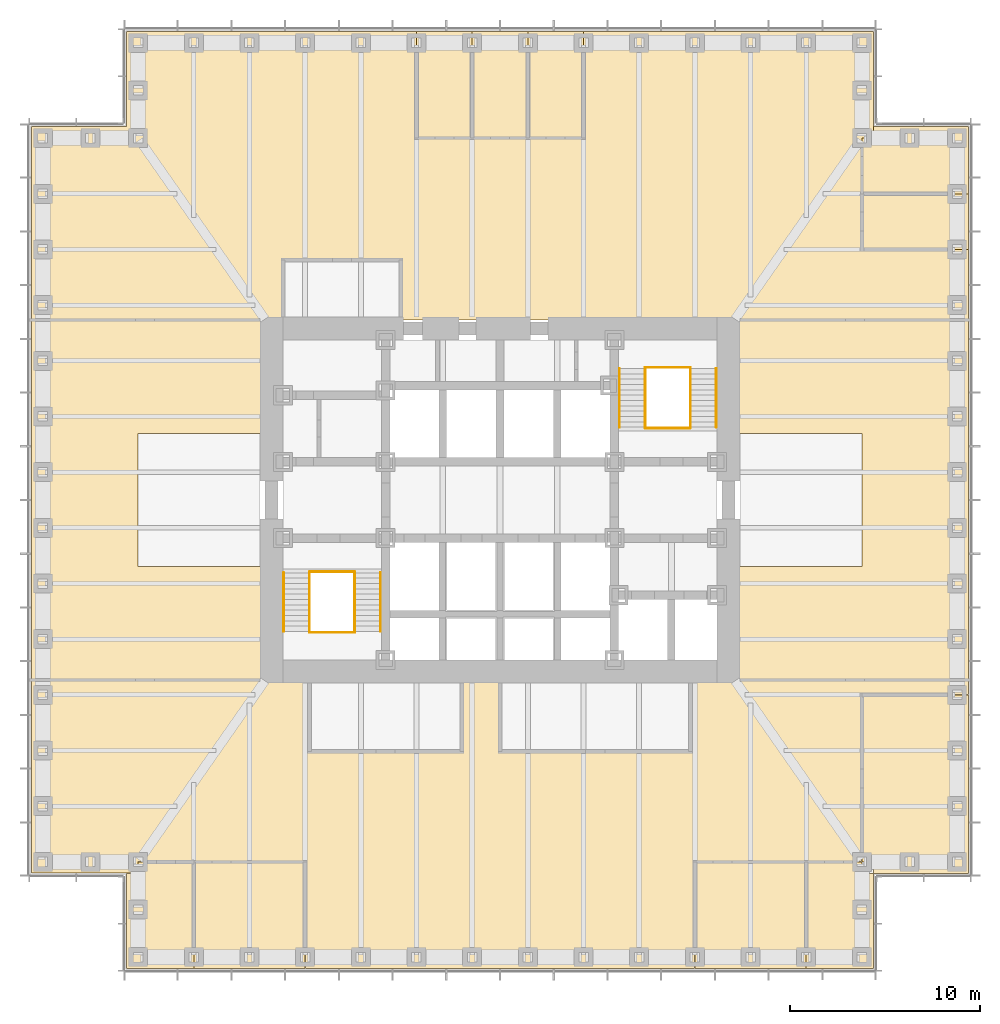
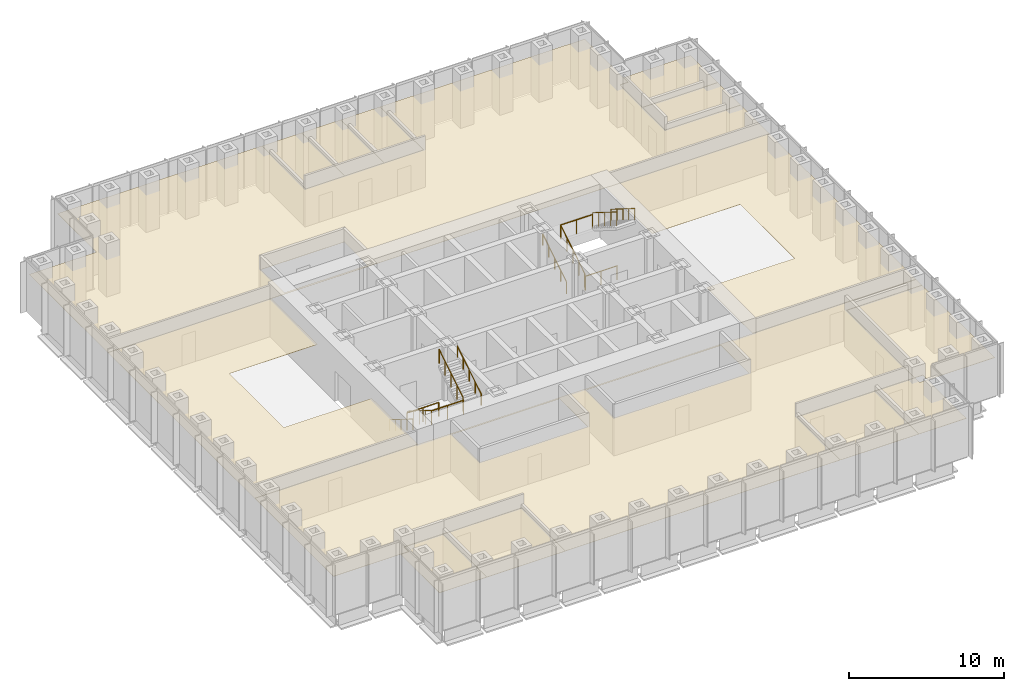
# One storey, part 16 of 16: 14 coverings, 12 railings.
"""IFC4 building model written with IfcOpenShell, lengths in metres."""

import ifcopenshell
import ifcopenshell.guid

model = None  # the IFC model being written
_history = None  # IfcOwnerHistory: only IFC2X3 demands one
_inside = {}  # id of a spatial element -> (the spatial element, [elements in it])
_under = {}  # id of a project, library or spatial element -> (it, [spatial elements below it])
_declared = {}  # id of a project -> (the project, [libraries it declares])
_typed = {}  # id of a type object -> (the type object, [elements of that type])
_made_of = {}  # id of a material, layer set ... -> (it, [elements and type objects made of it])


def new_model(schema):
    """Start an empty IFC model of exactly this schema.

    Asked for "IFC4X3", IfcOpenShell would pick the latest addendum, in which some entities
    have other attributes; the version numbers below select the first issue.
    IFC2X3 requires an IfcOwnerHistory on every rooted entity: one is made here for all.
    """
    global model, _history
    if schema == "IFC4X3":
        model = ifcopenshell.file(schema_version=(4, 3, 0, 0))
    else:
        model = ifcopenshell.file(schema=schema)
    _inside.clear()
    _under.clear()
    _declared.clear()
    _typed.clear()
    _made_of.clear()
    _history = None
    if model.schema == "IFC2X3":
        org = make("IfcOrganization", Name="unknown")
        user = make(
            "IfcPersonAndOrganization",
            ThePerson=make("IfcPerson", FamilyName="unknown"),
            TheOrganization=org,
        )
        app = make(
            "IfcApplication",
            ApplicationDeveloper=org,
            Version="unknown",
            ApplicationFullName="unknown",
            ApplicationIdentifier="unknown",
        )
        _history = make(
            "IfcOwnerHistory",
            OwningUser=user,
            OwningApplication=app,
            ChangeAction="ADDED",
            CreationDate=0,
        )
    return model


def make(cls, **values):
    """One entity of the class cls with the attributes given. An attribute that is None is left unset."""
    return model.create_entity(
        cls, **{name: value for name, value in values.items() if value is not None}
    )


def rooted(cls, **values):
    """An entity with a GlobalId (a new one), such as an element, a storey or a relation."""
    return make(cls, GlobalId=ifcopenshell.guid.new(), OwnerHistory=_history, **values)


def si_unit(unit_type, name, prefix=None):
    """IfcSIUnit, for example si_unit("LENGTHUNIT", "METRE", prefix="MILLI")."""
    return make("IfcSIUnit", UnitType=unit_type, Prefix=prefix, Name=name)


def assignment(units):
    """IfcUnitAssignment: the units of a project."""
    return None if units is None else make("IfcUnitAssignment", Units=units)


def point(xyz):
    """IfcCartesianPoint."""
    return None if xyz is None else make("IfcCartesianPoint", Coordinates=xyz)


def direction(xyz):
    """IfcDirection."""
    return None if xyz is None else make("IfcDirection", DirectionRatios=xyz)


def frame(location, z_axis=None, x_axis=None):
    """IfcAxis2Placement3D, a coordinate frame: its origin and axes. An axis left out is left unset."""
    return make(
        "IfcAxis2Placement3D",
        Location=point(location),
        Axis=direction(z_axis),
        RefDirection=direction(x_axis),
    )


def frame_2d(location, x_axis=None):
    """IfcAxis2Placement2D, a coordinate frame in the plane: its origin and x axis."""
    return make(
        "IfcAxis2Placement2D", Location=point(location), RefDirection=direction(x_axis)
    )


def origin():
    """The frame at (0, 0, 0) with its axes left unset."""
    return frame((0.0, 0.0, 0.0))


def origin_2d():
    """The frame at (0, 0) in the plane with its x axis left unset."""
    return frame_2d((0.0, 0.0))


def place(relative_to, where):
    """IfcLocalPlacement: puts the frame where relative to a parent placement (None: the world)."""
    return make(
        "IfcLocalPlacement", PlacementRelTo=relative_to, RelativePlacement=where
    )


def context(
    kind, dimensions, precision=None, world=None, true_north=None, identifier=None
):
    """IfcGeometricRepresentationContext, for example the 3D "Model" context."""
    return make(
        "IfcGeometricRepresentationContext",
        ContextIdentifier=identifier,
        ContextType=kind,
        CoordinateSpaceDimension=dimensions,
        Precision=precision,
        WorldCoordinateSystem=world,
        TrueNorth=true_north,
    )


def subcontext(parent, identifier, kind, view, scale=None):
    """IfcGeometricRepresentationSubContext, for example "Body" below "Model"."""
    return make(
        "IfcGeometricRepresentationSubContext",
        ContextIdentifier=identifier,
        ContextType=kind,
        ParentContext=parent,
        TargetScale=scale,
        TargetView=view,
    )


def project(units=None, contexts=None):
    """IfcProject with its units and contexts."""
    return rooted(
        "IfcProject",
        Name="project",
        RepresentationContexts=contexts,
        UnitsInContext=assignment(units),
    )


def spatial(cls, under=None, at=None, **own):
    """A site, building, storey or space (cls), placed at a placement, below another one or the project."""
    s = rooted(cls, ObjectPlacement=at, **own)
    if under is not None:
        _under.setdefault(under.id(), (under, []))[1].append(s)
    return s


def polyline(points):
    """IfcPolyline through the points."""
    return make("IfcPolyline", Points=[point(p) for p in points])


def profile(cls, at=None, kind="AREA", **sizes):
    """A parametric profile (cls). Its sizes go by their IFC names, for example OverallWidth=200.0."""
    return make(cls, ProfileType=kind, Position=at, **sizes)


def circle(**sizes):
    """IfcCircleProfileDef."""
    return profile("IfcCircleProfileDef", **sizes)


def outline(outer, holes=None, kind="AREA"):
    """IfcArbitraryClosedProfileDef: a profile drawn as a closed curve; with holes, ...WithVoids."""
    if holes is None:
        return make("IfcArbitraryClosedProfileDef", ProfileType=kind, OuterCurve=outer)
    return make(
        "IfcArbitraryProfileDefWithVoids",
        ProfileType=kind,
        OuterCurve=outer,
        InnerCurves=holes,
    )


def extrude(swept, where, along, depth):
    """IfcExtrudedAreaSolid: the profile swept, set in the frame where, extruded along a direction by depth."""
    return make(
        "IfcExtrudedAreaSolid",
        SweptArea=swept,
        Position=where,
        ExtrudedDirection=direction(along),
        Depth=depth,
    )


def shape(context_of_items, identifier, shape_type, items):
    """IfcShapeRepresentation: the items that make up one representation, for example the "Body"."""
    return make(
        "IfcShapeRepresentation",
        ContextOfItems=context_of_items,
        RepresentationIdentifier=identifier,
        RepresentationType=shape_type,
        Items=items,
    )


def material(Name=None, Category=None):
    """IfcMaterial."""
    return make("IfcMaterial", Name=Name, Category=Category)


def layer(
    of_material, thickness, ventilated=None, Name=None, Category=None, Priority=None
):
    """IfcMaterialLayer: one layer of a wall or slab, of a material (None: an air gap)."""
    return make(
        "IfcMaterialLayer",
        Material=of_material,
        LayerThickness=thickness,
        IsVentilated=ventilated,
        Name=Name,
        Category=Category,
        Priority=Priority,
    )


def layer_set(layers, Name=None):
    """IfcMaterialLayerSet."""
    return make("IfcMaterialLayerSet", MaterialLayers=layers, LayerSetName=Name)


def made_of(thing, what):
    """Note that an element or type object is made of a material, layer set ...; save() writes the relation."""
    if what is not None:
        _made_of.setdefault(what.id(), (what, []))[1].append(thing)
    return thing


def type_object(cls, material=None, **own):
    """A type object (cls), such as IfcWallType, which elements share."""
    return made_of(rooted(cls, **own), material)


def element(
    cls,
    number,
    at=None,
    inside=None,
    cuts=None,
    type_object=None,
    material=None,
    context=None,
    identifier="Body",
    shape_type=None,
    held_by="IfcProductDefinitionShape",
    body=None,
    shapes=None,
    **own,
):
    """One element of the class cls, such as IfcWall. Its Tag is "e" and its number.

    at: its placement. inside: the storey or other place that contains it. cuts: it is an
    opening in that element (IfcRelVoidsElement). A single representation is given by context,
    identifier, shape_type and body (its items); several are given by shapes. held_by: the class
    of the entity that holds the representations. save() writes the other relations.
    """
    e = rooted(cls, Tag="e%d" % number, ObjectPlacement=at, **own)
    if body is not None:
        shapes = [shape(context, identifier, shape_type, body)]
    if shapes is not None:
        e.Representation = make(held_by, Representations=shapes)
    if inside is not None:
        _inside.setdefault(inside.id(), (inside, []))[1].append(e)
    if cuts is not None:
        rooted(
            "IfcRelVoidsElement", RelatingBuildingElement=cuts, RelatedOpeningElement=e
        )
    if type_object is not None:
        _typed.setdefault(type_object.id(), (type_object, []))[1].append(e)
    return made_of(e, material)


def aggregate(whole, parts):
    """IfcRelAggregates: a whole, such as a stair, and the parts it consists of."""
    return rooted("IfcRelAggregates", RelatingObject=whole, RelatedObjects=parts)


def save(model, path):
    """Write the relations noted so far, then the file.

    IfcRelAggregates (storeys below a building ...), IfcRelContainedInSpatialStructure (elements
    in a storey), IfcRelDefinesByType, IfcRelAssociatesMaterial and IfcRelDeclares: one each for
    every whole, place, type object, material and project.
    """
    for whole, parts in _under.values():
        aggregate(whole, parts)
    for where, things in _inside.values():
        rooted(
            "IfcRelContainedInSpatialStructure",
            RelatedElements=things,
            RelatingStructure=where,
        )
    for kind, things in _typed.values():
        rooted("IfcRelDefinesByType", RelatedObjects=things, RelatingType=kind)
    for what, things in _made_of.values():
        rooted("IfcRelAssociatesMaterial", RelatedObjects=things, RelatingMaterial=what)
    for by, libraries in _declared.values():
        rooted("IfcRelDeclares", RelatingContext=by, RelatedDefinitions=libraries)
    model.write(path)


model = new_model("IFC4")

# Units and contexts
model_context = context("Model", 3, precision=1e-05, world=origin(), true_north=direction((0.0, 1.0)))
body_context = subcontext(model_context, "Body", "Model", "MODEL_VIEW")
ifc_project = project(units=[si_unit("LENGTHUNIT", "METRE"), si_unit("AREAUNIT", "SQUARE_METRE"), si_unit("VOLUMEUNIT", "CUBIC_METRE"), si_unit("PLANEANGLEUNIT", "RADIAN"), si_unit("MASSUNIT", "GRAM", prefix="KILO")], contexts=[model_context])

# Site, building, storey
site_placement = place(None, origin())
site = spatial("IfcSite", under=ifc_project, at=site_placement, CompositionType="ELEMENT")
building_placement = place(site_placement, origin())
building = spatial("IfcBuilding", under=site, at=building_placement, Name="Daluyong Arena Tower", CompositionType="ELEMENT")
storey_placement = place(building_placement, frame((0.0, 0.0, 47.5)))
storey = spatial("IfcBuildingStorey", under=building, at=storey_placement, Name="L09", CompositionType="ELEMENT", Elevation=47.5)

# Coverings
ifc_material_1 = material(Name="Mineral fibre ceiling tile", Category="gypsum board")
ifc_layer = layer(ifc_material_1, 0.02001953125)
ifc_layer_set = layer_set([ifc_layer], Name="Mineral fibre ceiling tile")
covering_type = type_object("IfcCoveringType", Name="Office ceiling", PredefinedType="CEILING", material=ifc_layer_set)
covering_1_placement = place(storey_placement, frame((0.0, 0.0, 2.89990234375)))
element("IfcCovering", 1, at=covering_1_placement, inside=storey, type_object=covering_type, Name="ceiling L09-01", PredefinedType="CEILING", context=body_context, shape_type="SweptSolid", body=[
    extrude(outline(polyline([(36.39990234375, 60.39990234375), (36.39990234375, 55.39990234375), (39.923095703125, 55.39990234375), (39.923095703125, 61.0), (37.0, 61.0), (37.0, 60.39990234375), (36.39990234375, 60.39990234375)])), origin(), (0.0, 0.0, 1.0), 0.02001953125),
])
covering_2_placement = place(storey_placement, frame((0.0, 0.0, 2.89990234375)))
element("IfcCovering", 2, at=covering_2_placement, inside=storey, type_object=covering_type, Name="ceiling L09-02", PredefinedType="CEILING", context=body_context, shape_type="SweptSolid", body=[
    extrude(outline(polyline([(39.923095703125, 61.0), (39.923095703125, 55.39990234375), (45.769287109375, 55.39990234375), (45.769287109375, 61.0), (39.923095703125, 61.0)])), origin(), (0.0, 0.0, 1.0), 0.02001953125),
])
covering_3_placement = place(storey_placement, frame((0.0, 0.0, 2.89990234375)))
element("IfcCovering", 3, at=covering_3_placement, inside=storey, type_object=covering_type, Name="ceiling L09-03", PredefinedType="CEILING", context=body_context, shape_type="SweptSolid", body=[
    extrude(outline(polyline([(66.230712890625, 61.0), (66.230712890625, 55.39990234375), (72.076904296875, 55.39990234375), (72.076904296875, 61.0), (66.230712890625, 61.0)])), origin(), (0.0, 0.0, 1.0), 0.02001953125),
])
covering_4_placement = place(storey_placement, frame((0.0, 0.0, 2.89990234375)))
element("IfcCovering", 4, at=covering_4_placement, inside=storey, type_object=covering_type, Name="ceiling L09-04", PredefinedType="CEILING", context=body_context, shape_type="SweptSolid", body=[
    extrude(outline(polyline([(75.60009765625, 55.39990234375), (75.60009765625, 60.39990234375), (75.0, 60.39990234375), (75.0, 61.0), (72.076904296875, 61.0), (72.076904296875, 55.39990234375), (75.60009765625, 55.39990234375)])), origin(), (0.0, 0.0, 1.0), 0.02001953125),
])
covering_5_placement = place(storey_placement, frame((0.0, 0.0, 2.89990234375)))
element("IfcCovering", 5, at=covering_5_placement, inside=storey, type_object=covering_type, Name="ceiling L09-05", PredefinedType="CEILING", context=body_context, shape_type="SweptSolid", body=[
    extrude(outline(polyline([(75.60009765625, 60.39990234375), (80.60009765625, 60.39990234375), (80.60009765625, 69.769287109375), (75.0, 69.769287109375), (75.0, 61.0), (75.60009765625, 61.0), (75.60009765625, 60.39990234375)])), origin(), (0.0, 0.0, 1.0), 0.02001953125),
])
covering_6_placement = place(storey_placement, frame((0.0, 0.0, 2.89990234375)))
element("IfcCovering", 6, at=covering_6_placement, inside=storey, type_object=covering_type, Name="ceiling L09-06", PredefinedType="CEILING", context=body_context, shape_type="SweptSolid", body=[
    extrude(outline(polyline([(75.0, 93.15380859375), (80.60009765625, 93.15380859375), (80.60009765625, 96.076904296875), (75.0, 96.076904296875), (75.0, 93.15380859375)])), origin(), (0.0, 0.0, 1.0), 0.02001953125),
])
covering_7_placement = place(storey_placement, frame((0.0, 0.0, 2.89990234375)))
element("IfcCovering", 7, at=covering_7_placement, inside=storey, type_object=covering_type, Name="ceiling L09-07", PredefinedType="CEILING", context=body_context, shape_type="SweptSolid", body=[
    extrude(outline(polyline([(75.0, 96.076904296875), (80.60009765625, 96.076904296875), (80.60009765625, 99.60009765625), (75.60009765625, 99.60009765625), (75.60009765625, 99.0), (75.0, 99.0), (75.0, 96.076904296875)])), origin(), (0.0, 0.0, 1.0), 0.02001953125),
])
covering_8_placement = place(storey_placement, frame((0.0, 0.0, 2.89990234375)))
element("IfcCovering", 8, at=covering_8_placement, inside=storey, type_object=covering_type, Name="ceiling L09-08", PredefinedType="CEILING", context=body_context, shape_type="SweptSolid", body=[
    extrude(outline(polyline([(54.53857421875, 99.0), (54.53857421875, 104.60009765625), (51.615478515625, 104.60009765625), (51.615478515625, 99.0), (54.53857421875, 99.0)])), origin(), (0.0, 0.0, 1.0), 0.02001953125),
])
covering_9_placement = place(storey_placement, frame((0.0, 0.0, 2.89990234375)))
element("IfcCovering", 9, at=covering_9_placement, inside=storey, type_object=covering_type, Name="ceiling L09-09", PredefinedType="CEILING", context=body_context, shape_type="SweptSolid", body=[
    extrude(outline(polyline([(57.46142578125, 99.0), (57.46142578125, 104.60009765625), (54.53857421875, 104.60009765625), (54.53857421875, 99.0), (57.46142578125, 99.0)])), origin(), (0.0, 0.0, 1.0), 0.02001953125),
])
covering_10_placement = place(storey_placement, frame((0.0, 0.0, 2.89990234375)))
element("IfcCovering", 10, at=covering_10_placement, inside=storey, type_object=covering_type, Name="ceiling L09-10", PredefinedType="CEILING", context=body_context, shape_type="SweptSolid", body=[
    extrude(outline(polyline([(60.384521484375, 99.0), (60.384521484375, 104.60009765625), (57.46142578125, 104.60009765625), (57.46142578125, 99.0), (60.384521484375, 99.0)])), origin(), (0.0, 0.0, 1.0), 0.02001953125),
])
covering_11_placement = place(storey_placement, frame((0.0, 0.0, 2.89990234375)))
element("IfcCovering", 11, at=covering_11_placement, inside=storey, type_object=covering_type, Name="ceiling L09-16", PredefinedType="CEILING", context=body_context, shape_type="SweptSolid", body=[
    extrude(outline(polyline([(74.989990234375, 61.010009765625), (74.989990234375, 69.779296875), (80.590087890625, 69.779296875), (80.590087890625, 70.5400390625), (31.409912109375, 70.5400390625), (31.409912109375, 60.409912109375), (36.989990234375, 60.409912109375), (36.989990234375, 61.010009765625), (45.779296875, 61.010009765625), (45.779296875, 55.409912109375), (66.220703125, 55.409912109375), (66.220703125, 61.010009765625), (74.989990234375, 61.010009765625)]), holes=[polyline([(66.010009765625, 66.7900390625), (55.989990234375, 66.7900390625), (55.989990234375, 70.409912109375), (66.010009765625, 70.409912109375), (66.010009765625, 66.7900390625)]), polyline([(54.010009765625, 66.7900390625), (45.989990234375, 66.7900390625), (45.989990234375, 70.409912109375), (54.010009765625, 70.409912109375), (54.010009765625, 66.7900390625)])]), origin(), (0.0, 0.0, 1.0), 0.02001953125),
])
covering_12_placement = place(storey_placement, frame((0.0, 0.0, 2.89990234375)))
element("IfcCovering", 12, at=covering_12_placement, inside=storey, type_object=covering_type, Name="ceiling L09-17", PredefinedType="CEILING", context=body_context, shape_type="SweptSolid", body=[
    extrude(outline(polyline([(80.60009765625, 70.550048828125), (80.60009765625, 89.449951171875), (68.449951171875, 89.449951171875), (68.449951171875, 83.5), (75.0, 83.5), (75.0, 76.5), (68.449951171875, 76.5), (68.449951171875, 70.550048828125), (80.60009765625, 70.550048828125)])), origin(), (0.0, 0.0, 1.0), 0.02001953125),
])
covering_13_placement = place(storey_placement, frame((0.0, 0.0, 2.89990234375)))
element("IfcCovering", 13, at=covering_13_placement, inside=storey, type_object=covering_type, Name="ceiling L09-18", PredefinedType="CEILING", context=body_context, shape_type="SweptSolid", body=[
    extrude(outline(polyline([(36.39990234375, 104.60009765625), (36.39990234375, 99.60009765625), (31.39990234375, 99.60009765625), (31.39990234375, 89.449951171875), (80.60009765625, 89.449951171875), (80.60009765625, 93.15380859375), (75.0, 93.15380859375), (75.0, 99.0), (75.60009765625, 99.0), (75.60009765625, 104.60009765625), (60.384521484375, 104.60009765625), (60.384521484375, 99.0), (51.615478515625, 99.0), (51.615478515625, 104.60009765625), (36.39990234375, 104.60009765625)]), holes=[polyline([(50.800048828125, 89.60009765625), (44.60009765625, 89.60009765625), (44.60009765625, 92.60009765625), (50.800048828125, 92.60009765625), (50.800048828125, 89.60009765625)])]), origin(), (0.0, 0.0, 1.0), 0.02001953125),
])
covering_14_placement = place(storey_placement, frame((0.0, 0.0, 2.89990234375)))
element("IfcCovering", 14, at=covering_14_placement, inside=storey, type_object=covering_type, Name="ceiling L09-19", PredefinedType="CEILING", context=body_context, shape_type="SweptSolid", body=[
    extrude(outline(polyline([(31.39990234375, 89.449951171875), (31.39990234375, 70.550048828125), (43.550048828125, 70.550048828125), (43.550048828125, 76.5), (37.0, 76.5), (37.0, 83.5), (43.550048828125, 83.5), (43.550048828125, 89.449951171875), (31.39990234375, 89.449951171875)])), origin(), (0.0, 0.0, 1.0), 0.02001953125),
])

# Railings
ifc_material_2 = material(Name="Stainless steel handrail", Category="steel")
railing_type_1 = type_object("IfcRailingType", Name="Stair handrail", PredefinedType="HANDRAIL", material=ifc_material_2)
railing_1_placement = place(storey_placement, frame((44.64990234375, 76.175048828125, 0.175048828125)))
element("IfcRailing", 15, at=railing_1_placement, inside=storey, type_object=railing_type_1, Name="exit stair A handrail L09", PredefinedType="HANDRAIL", context=body_context, shape_type="SweptSolid", body=[
    extrude(circle(Radius=0.02392578125, at=origin_2d()), frame((0.0, 0.0, 0.8759765625), z_axis=(0.0, -0.847998304005, 0.529998940003), x_axis=(1.0, 0.0, 0.0)), (0.0, 0.0, 1.0), 3.632080078125),
    extrude(circle(Radius=0.02099609375, at=origin_2d()), origin(), (0.0, 0.0, 1.0), 0.851806640625),
    extrude(circle(Radius=0.02099609375, at=origin_2d()), frame((0.0, -0.77001953125, 0.481201171875)), (0.0, 0.0, 1.0), 0.851806640625),
    extrude(circle(Radius=0.02099609375, at=origin_2d()), frame((0.0, -1.5400390625, 0.96240234375)), (0.0, 0.0, 1.0), 0.851806640625),
    extrude(circle(Radius=0.02099609375, at=origin_2d()), frame((0.0, -2.31005859375, 1.44384765625)), (0.0, 0.0, 1.0), 0.851806640625),
    extrude(circle(Radius=0.02099609375, at=origin_2d()), frame((0.0, -3.080078125, 1.925048828125)), (0.0, 0.0, 1.0), 0.851806640625),
])
for number, where, name in (
    (16, (49.72509765625, 73.094970703125, 2.27490234375), "exit stair A handrail L09"),
    (17, (62.27490234375, 83.824951171875, 0.175048828125), "exit stair B handrail L09"),
):
    element("IfcRailing", number, at=place(storey_placement, frame(where)), inside=storey, type_object=railing_type_1, Name=name, PredefinedType="HANDRAIL", context=body_context, shape_type="SweptSolid", body=[
        extrude(circle(Radius=0.02392578125, at=origin_2d()), frame((0.0, 0.0, 0.8759765625), z_axis=(0.0, 0.847998304005, 0.529998940003), x_axis=(-1.0, 0.0, 0.0)), (0.0, 0.0, 1.0), 3.632080078125),
        extrude(circle(Radius=0.02099609375, at=origin_2d()), origin(), (0.0, 0.0, 1.0), 0.851806640625),
        extrude(circle(Radius=0.02099609375, at=origin_2d()), frame((0.0, 0.77001953125, 0.481201171875)), (0.0, 0.0, 1.0), 0.851806640625),
        extrude(circle(Radius=0.02099609375, at=origin_2d()), frame((0.0, 1.5400390625, 0.96240234375)), (0.0, 0.0, 1.0), 0.851806640625),
        extrude(circle(Radius=0.02099609375, at=origin_2d()), frame((0.0, 2.31005859375, 1.44384765625)), (0.0, 0.0, 1.0), 0.851806640625),
        extrude(circle(Radius=0.02099609375, at=origin_2d()), frame((0.0, 3.080078125, 1.925048828125)), (0.0, 0.0, 1.0), 0.851806640625),
    ])
railing_2_placement = place(storey_placement, frame((67.35009765625, 86.905029296875, 2.27490234375)))
element("IfcRailing", 18, at=railing_2_placement, inside=storey, type_object=railing_type_1, Name="exit stair B handrail L09", PredefinedType="HANDRAIL", context=body_context, shape_type="SweptSolid", body=[
    extrude(circle(Radius=0.02392578125, at=origin_2d()), frame((0.0, 0.0, 0.8759765625), z_axis=(0.0, -0.847998304005, 0.529998940003), x_axis=(1.0, 0.0, 0.0)), (0.0, 0.0, 1.0), 3.632080078125),
    extrude(circle(Radius=0.02099609375, at=origin_2d()), origin(), (0.0, 0.0, 1.0), 0.851806640625),
    extrude(circle(Radius=0.02099609375, at=origin_2d()), frame((0.0, -0.77001953125, 0.481201171875)), (0.0, 0.0, 1.0), 0.851806640625),
    extrude(circle(Radius=0.02099609375, at=origin_2d()), frame((0.0, -1.5400390625, 0.96240234375)), (0.0, 0.0, 1.0), 0.851806640625),
    extrude(circle(Radius=0.02099609375, at=origin_2d()), frame((0.0, -2.31005859375, 1.44384765625)), (0.0, 0.0, 1.0), 0.851806640625),
    extrude(circle(Radius=0.02099609375, at=origin_2d()), frame((0.0, -3.080078125, 1.925048828125)), (0.0, 0.0, 1.0), 0.851806640625),
])
ifc_material_3 = material(Name="Steel balustrade", Category="steel")
railing_type_2 = type_object("IfcRailingType", Name="Stair well guard 1100", PredefinedType="GUARDRAIL", material=ifc_material_3)
railing_3_placement = place(storey_placement, frame((46.0, 76.175048828125, 0.175048828125)))
element("IfcRailing", 19, at=railing_3_placement, inside=storey, type_object=railing_type_2, Name="exit stair A well guard L09", PredefinedType="GUARDRAIL", context=body_context, shape_type="SweptSolid", body=[
    extrude(circle(Radius=0.02392578125, at=origin_2d()), frame((0.0, 0.0, 1.076171875), z_axis=(0.0, -0.847998304005, 0.529998940003), x_axis=(1.0, 0.0, 0.0)), (0.0, 0.0, 1.0), 3.632080078125),
    extrude(circle(Radius=0.02099609375, at=origin_2d()), origin(), (0.0, 0.0, 1.0), 1.052001953125),
    extrude(circle(Radius=0.02099609375, at=origin_2d()), frame((0.0, -0.77001953125, 0.481201171875)), (0.0, 0.0, 1.0), 1.052001953125),
    extrude(circle(Radius=0.02099609375, at=origin_2d()), frame((0.0, -1.5400390625, 0.96240234375)), (0.0, 0.0, 1.0), 1.052001953125),
    extrude(circle(Radius=0.02099609375, at=origin_2d()), frame((0.0, -2.31005859375, 1.44384765625)), (0.0, 0.0, 1.0), 1.052001953125),
    extrude(circle(Radius=0.02099609375, at=origin_2d()), frame((0.0, -3.080078125, 1.925048828125)), (0.0, 0.0, 1.0), 1.052001953125),
])
railing_4_placement = place(storey_placement, frame((48.375, 73.094970703125, 2.27490234375)))
element("IfcRailing", 20, at=railing_4_placement, inside=storey, type_object=railing_type_2, Name="exit stair A well guard L09", PredefinedType="GUARDRAIL", context=body_context, shape_type="SweptSolid", body=[
    extrude(circle(Radius=0.02392578125, at=origin_2d()), frame((0.0, 0.0, 1.076171875), z_axis=(0.0, 0.847998304005, 0.529998940003), x_axis=(-1.0, 0.0, 0.0)), (0.0, 0.0, 1.0), 3.632080078125),
    extrude(circle(Radius=0.02099609375, at=origin_2d()), origin(), (0.0, 0.0, 1.0), 1.052001953125),
    extrude(circle(Radius=0.02099609375, at=origin_2d()), frame((0.0, 0.77001953125, 0.481201171875)), (0.0, 0.0, 1.0), 1.052001953125),
    extrude(circle(Radius=0.02099609375, at=origin_2d()), frame((0.0, 1.5400390625, 0.96240234375)), (0.0, 0.0, 1.0), 1.052001953125),
    extrude(circle(Radius=0.02099609375, at=origin_2d()), frame((0.0, 2.31005859375, 1.44384765625)), (0.0, 0.0, 1.0), 1.052001953125),
    extrude(circle(Radius=0.02099609375, at=origin_2d()), frame((0.0, 3.080078125, 1.925048828125)), (0.0, 0.0, 1.0), 1.052001953125),
])
for number, where, name in (
    (21, (46.0, 73.044921875, 2.10009765625), "exit stair A landing guard L09"),
    (22, (46.0, 76.22509765625, 0.0), "exit stair A floor landing guard L09"),
):
    element("IfcRailing", number, at=place(storey_placement, frame(where)), inside=storey, type_object=railing_type_2, Name=name, PredefinedType="GUARDRAIL", context=body_context, shape_type="SweptSolid", body=[
        extrude(circle(Radius=0.02392578125, at=origin_2d()), frame((0.0, 0.0, 1.076171875), z_axis=(1.0, 0.0, 0.0), x_axis=(0.0, 1.0, 0.0)), (0.0, 0.0, 1.0), 2.375),
        extrude(circle(Radius=0.02099609375, at=origin_2d()), origin(), (0.0, 0.0, 1.0), 1.052001953125),
        extrude(circle(Radius=0.02099609375, at=origin_2d()), frame((1.1875, 0.0, 0.0)), (0.0, 0.0, 1.0), 1.052001953125),
        extrude(circle(Radius=0.02099609375, at=origin_2d()), frame((2.375, 0.0, 0.0)), (0.0, 0.0, 1.0), 1.052001953125),
    ])
railing_5_placement = place(storey_placement, frame((63.625, 83.824951171875, 0.175048828125)))
element("IfcRailing", 23, at=railing_5_placement, inside=storey, type_object=railing_type_2, Name="exit stair B well guard L09", PredefinedType="GUARDRAIL", context=body_context, shape_type="SweptSolid", body=[
    extrude(circle(Radius=0.02392578125, at=origin_2d()), frame((0.0, 0.0, 1.076171875), z_axis=(0.0, 0.847998304005, 0.529998940003), x_axis=(-1.0, 0.0, 0.0)), (0.0, 0.0, 1.0), 3.632080078125),
    extrude(circle(Radius=0.02099609375, at=origin_2d()), origin(), (0.0, 0.0, 1.0), 1.052001953125),
    extrude(circle(Radius=0.02099609375, at=origin_2d()), frame((0.0, 0.77001953125, 0.481201171875)), (0.0, 0.0, 1.0), 1.052001953125),
    extrude(circle(Radius=0.02099609375, at=origin_2d()), frame((0.0, 1.5400390625, 0.96240234375)), (0.0, 0.0, 1.0), 1.052001953125),
    extrude(circle(Radius=0.02099609375, at=origin_2d()), frame((0.0, 2.31005859375, 1.44384765625)), (0.0, 0.0, 1.0), 1.052001953125),
    extrude(circle(Radius=0.02099609375, at=origin_2d()), frame((0.0, 3.080078125, 1.925048828125)), (0.0, 0.0, 1.0), 1.052001953125),
])
railing_6_placement = place(storey_placement, frame((66.0, 86.905029296875, 2.27490234375)))
element("IfcRailing", 24, at=railing_6_placement, inside=storey, type_object=railing_type_2, Name="exit stair B well guard L09", PredefinedType="GUARDRAIL", context=body_context, shape_type="SweptSolid", body=[
    extrude(circle(Radius=0.02392578125, at=origin_2d()), frame((0.0, 0.0, 1.076171875), z_axis=(0.0, -0.847998304005, 0.529998940003), x_axis=(1.0, 0.0, 0.0)), (0.0, 0.0, 1.0), 3.632080078125),
    extrude(circle(Radius=0.02099609375, at=origin_2d()), origin(), (0.0, 0.0, 1.0), 1.052001953125),
    extrude(circle(Radius=0.02099609375, at=origin_2d()), frame((0.0, -0.77001953125, 0.481201171875)), (0.0, 0.0, 1.0), 1.052001953125),
    extrude(circle(Radius=0.02099609375, at=origin_2d()), frame((0.0, -1.5400390625, 0.96240234375)), (0.0, 0.0, 1.0), 1.052001953125),
    extrude(circle(Radius=0.02099609375, at=origin_2d()), frame((0.0, -2.31005859375, 1.44384765625)), (0.0, 0.0, 1.0), 1.052001953125),
    extrude(circle(Radius=0.02099609375, at=origin_2d()), frame((0.0, -3.080078125, 1.925048828125)), (0.0, 0.0, 1.0), 1.052001953125),
])
for number, where, name in (
    (25, (63.625, 86.955078125, 2.10009765625), "exit stair B landing guard L09"),
    (26, (63.625, 83.77490234375, 0.0), "exit stair B floor landing guard L09"),
):
    element("IfcRailing", number, at=place(storey_placement, frame(where)), inside=storey, type_object=railing_type_2, Name=name, PredefinedType="GUARDRAIL", context=body_context, shape_type="SweptSolid", body=[
        extrude(circle(Radius=0.02392578125, at=origin_2d()), frame((0.0, 0.0, 1.076171875), z_axis=(1.0, 0.0, 0.0), x_axis=(0.0, 1.0, 0.0)), (0.0, 0.0, 1.0), 2.375),
        extrude(circle(Radius=0.02099609375, at=origin_2d()), origin(), (0.0, 0.0, 1.0), 1.052001953125),
        extrude(circle(Radius=0.02099609375, at=origin_2d()), frame((1.1875, 0.0, 0.0)), (0.0, 0.0, 1.0), 1.052001953125),
        extrude(circle(Radius=0.02099609375, at=origin_2d()), frame((2.375, 0.0, 0.0)), (0.0, 0.0, 1.0), 1.052001953125),
    ])

save(model, "model.ifc")
